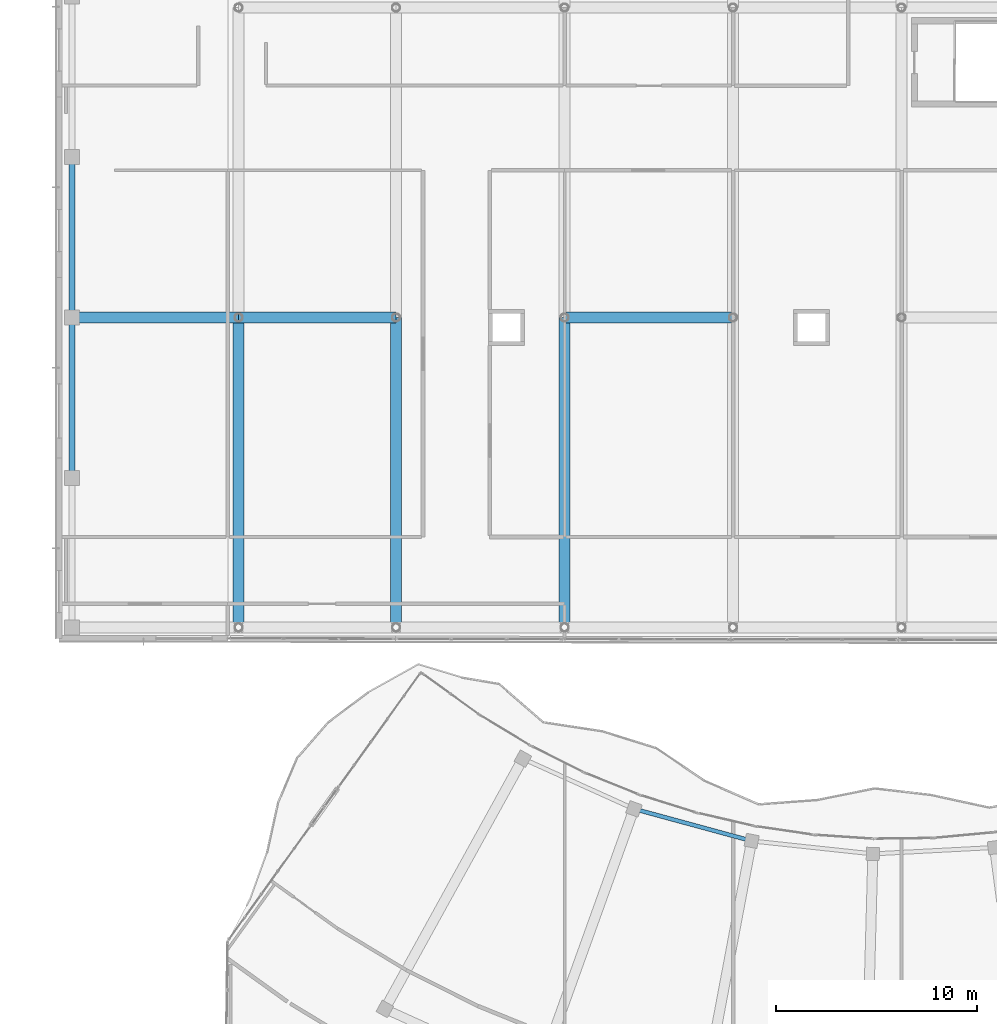
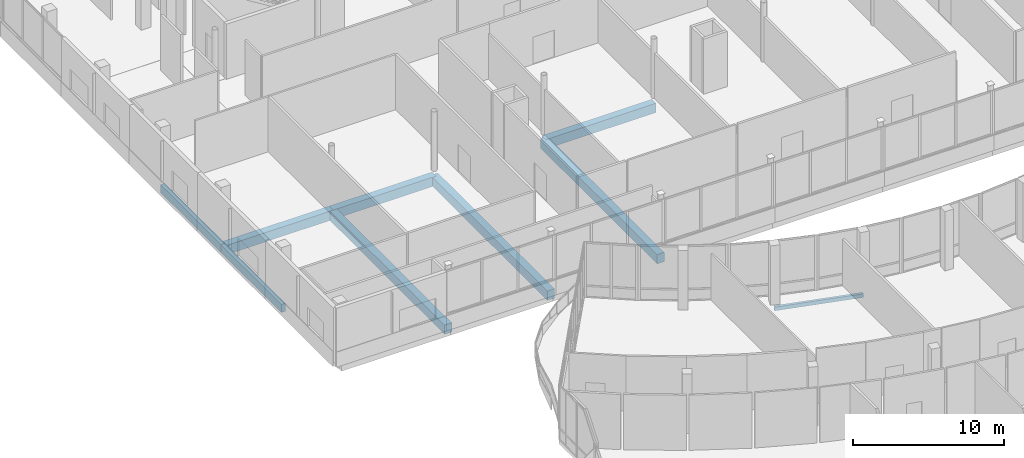
# One storey, part 30 of 155: 9 beams.
"""IFC4 building model written with IfcOpenShell, lengths in metres."""

from ifc_helpers import new_model, si_unit, direction, frame, origin, origin_2d, place, context, subcontext, project, spatial, rectangle, hollow_rectangle, extrude, material, material_profile, profile_set, type_object, element, save


model = new_model("IFC4")

# Units and contexts
model_context = context("Model", 3, precision=1e-05, world=origin(), true_north=direction((0.0, 1.0)))
body_context = subcontext(model_context, "Body", "Model", "MODEL_VIEW")
ifc_project = project(units=[si_unit("LENGTHUNIT", "METRE"), si_unit("AREAUNIT", "SQUARE_METRE"), si_unit("VOLUMEUNIT", "CUBIC_METRE"), si_unit("PLANEANGLEUNIT", "RADIAN"), si_unit("MASSUNIT", "GRAM", prefix="KILO")], contexts=[model_context])

# Site, building, storey
site_placement = place(None, origin())
site = spatial("IfcSite", under=ifc_project, at=site_placement, CompositionType="ELEMENT")
building_placement = place(site_placement, origin())
building = spatial("IfcBuilding", under=site, at=building_placement, Name="Selatvlak General Hospital", CompositionType="ELEMENT")
storey_placement = place(building_placement, frame((0.0, 0.0, 10.199951171875)))
storey = spatial("IfcBuildingStorey", under=building, at=storey_placement, Name="L02", CompositionType="ELEMENT", Elevation=10.199951171875)

# Beams
ifc_material_1 = material(Name="Concrete C40/50", Category="concrete")
ifc_material_profile_1 = material_profile(ifc_material_1, rectangle(XDim=0.550048828125, YDim=0.75, at=origin_2d()), Name="RC-BM 550x750")
ifc_profile_set_1 = profile_set([ifc_material_profile_1], Name="Concrete C40/50")
beam_type_1 = type_object("IfcBeamType", Name="BM-G02", PredefinedType="BEAM", material=ifc_profile_set_1)
beam_1_placement = place(storey_placement, frame((15.050048828125, 68.0, -0.72998046875), z_axis=(1.0, 0.0, 0.0), x_axis=(0.0, 1.0, 0.0)))
element("IfcBeam", 1, at=beam_1_placement, inside=storey, type_object=beam_type_1, Name="Beam BMR-L02-0781", PredefinedType="BEAM", context=body_context, shape_type="SweptSolid", body=[
    extrude(rectangle(XDim=0.550048828125, YDim=0.75, at=origin_2d()), origin(), (0.0, 0.0, 1.0), 8.300048828125),
])
beam_2_placement = place(storey_placement, frame((23.35009765625, 68.0, -0.72998046875), z_axis=(1.0, 0.0, 0.0), x_axis=(0.0, 1.0, 0.0)))
element("IfcBeam", 2, at=beam_2_placement, inside=storey, type_object=beam_type_1, Name="Beam BMR-L02-0782", PredefinedType="BEAM", context=body_context, shape_type="SweptSolid", body=[
    extrude(rectangle(XDim=0.550048828125, YDim=0.75, at=origin_2d()), origin(), (0.0, 0.0, 1.0), 7.849853515625),
])
beam_3_placement = place(storey_placement, frame((39.60009765625, 68.0, -0.72998046875), z_axis=(1.0, 0.0, 0.0), x_axis=(0.0, 1.0, 0.0)))
element("IfcBeam", 3, at=beam_3_placement, inside=storey, type_object=beam_type_1, Name="Beam BMR-L02-0783", PredefinedType="BEAM", context=body_context, shape_type="SweptSolid", body=[
    extrude(rectangle(XDim=0.550048828125, YDim=0.75, at=origin_2d()), origin(), (0.0, 0.0, 1.0), 8.39990234375),
])
for number, where, z_axis, x_axis, name in (
    (4, (23.35009765625, 52.550048828125, -0.72998046875), (0.0, 1.0, 0.0), (-1.0, 0.0, 0.0), "Beam BMR-L02-0934"),
    (5, (31.199951171875, 52.550048828125, -0.72998046875), (0.0, 1.0, 0.0), (-1.0, 0.0, 0.0), "Beam BMR-L02-0937"),
    (6, (39.60009765625, 52.550048828125, -0.72998046875), (0.0, 1.0, 0.0), (-1.0, 0.0, 0.0), "Beam BMR-L02-0943"),
):
    element("IfcBeam", number, at=place(storey_placement, frame(where, z_axis=z_axis, x_axis=x_axis)), inside=storey, type_object=beam_type_1, Name=name, PredefinedType="BEAM", context=body_context, shape_type="SweptSolid", body=[
        extrude(rectangle(XDim=0.550048828125, YDim=0.75, at=origin_2d()), origin(), (0.0, 0.0, 1.0), 15.449951171875),
    ])
ifc_material_profile_2 = material_profile(ifc_material_1, rectangle(XDim=0.300048828125, YDim=0.64990234375, at=origin_2d()), Name="RC-SP 300x650")
ifc_profile_set_2 = profile_set([ifc_material_profile_2], Name="Concrete C40/50")
beam_type_2 = type_object("IfcBeamType", Name="BM-SP1", PredefinedType="SPANDREL", material=ifc_profile_set_2)
for number, where, z_axis, x_axis, name in (
    (7, (15.050048828125, 60.0, -0.679931640625), (0.0, 1.0, 0.0), (-1.0, 0.0, 0.0), "Beam BMR-L02-0925"),
    (8, (15.050048828125, 68.0, -0.679931640625), (0.0, 1.0, 0.0), (-1.0, 0.0, 0.0), "Beam BMR-L02-0926"),
):
    element("IfcBeam", number, at=place(storey_placement, frame(where, z_axis=z_axis, x_axis=x_axis)), inside=storey, type_object=beam_type_2, Name=name, PredefinedType="SPANDREL", context=body_context, shape_type="SweptSolid", body=[
        extrude(rectangle(XDim=0.300048828125, YDim=0.64990234375, at=origin_2d()), origin(), (0.0, 0.0, 1.0), 8.0),
    ])
ifc_material_2 = material(Name="Steel S355", Category="steel")
ifc_material_profile_3 = material_profile(ifc_material_2, hollow_rectangle(XDim=0.199951171875, YDim=0.300048828125, WallThickness=0.011962890625, at=origin_2d()), Name="RHS 300x200x12")
ifc_profile_set_3 = profile_set([ifc_material_profile_3], Name="Steel S355")
beam_type_3 = type_object("IfcBeamType", Name="BM-SP3", PredefinedType="SPANDREL", material=ifc_profile_set_3)
beam_4_placement = place(storey_placement, frame((43.05908203125, 43.506103515625, -0.5048828125), z_axis=(0.9649036472, -0.262604172892, 0.0), x_axis=(0.262604172892, 0.9649036472, 0.0)))
element("IfcBeam", 9, at=beam_4_placement, inside=storey, type_object=beam_type_3, Name="Beam BMR-L02-1125", PredefinedType="SPANDREL", context=body_context, shape_type="SweptSolid", body=[
    extrude(hollow_rectangle(XDim=0.199951171875, YDim=0.300048828125, WallThickness=0.011962890625, at=origin_2d()), origin(), (0.0, 0.0, 1.0), 6.078369140625),
])

save(model, "model.ifc")
